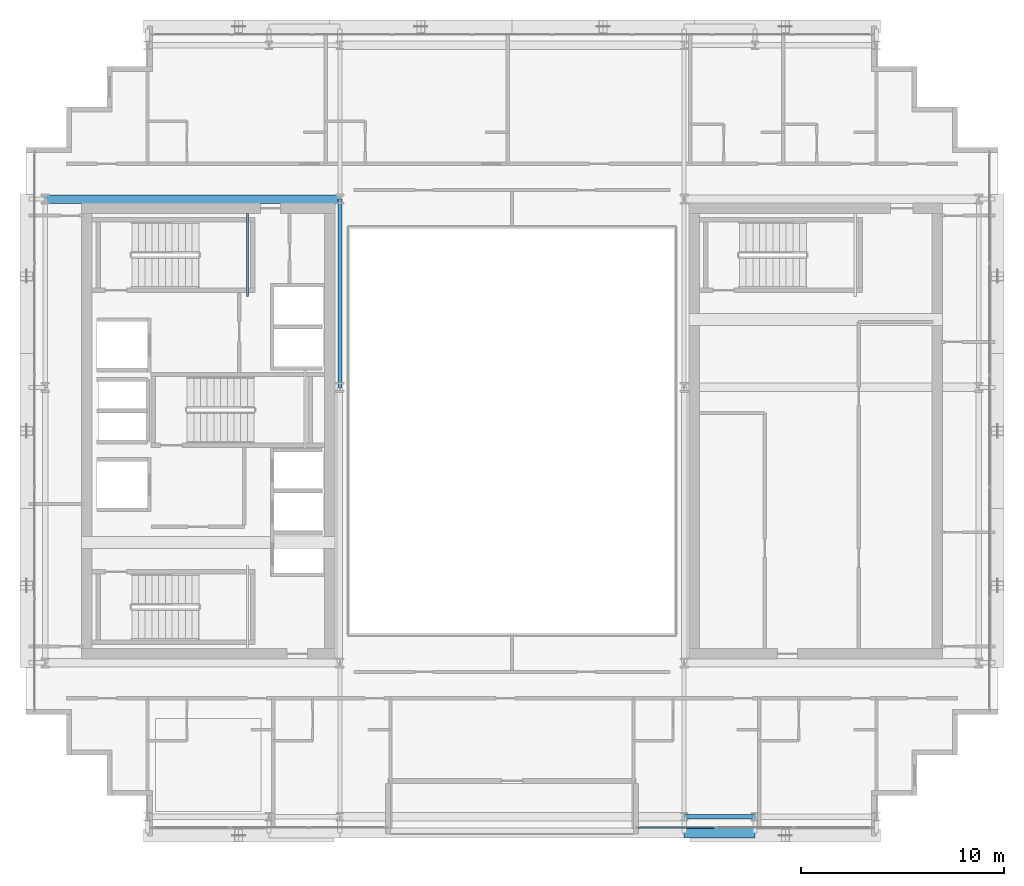
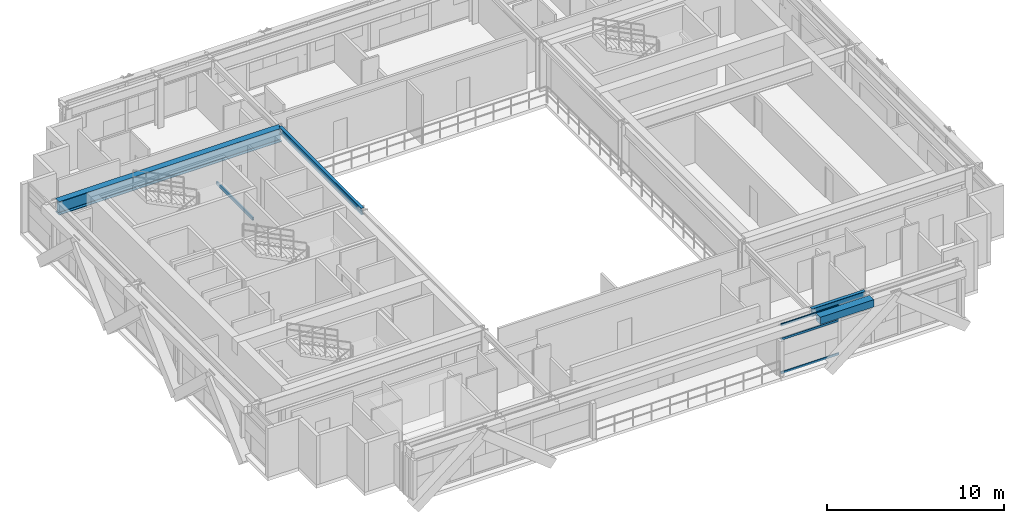
# One storey, part 9 of 31: 5 beams, 3 members, 1 element without a shape of its own.
"""IFC4 building model written with IfcOpenShell, lengths in metres."""

from ifc_helpers import new_model, si_unit, direction, frame, origin, origin_2d, place, context, subcontext, project, spatial, hollow_rectangle, i_section, extrude, source, transform, mapped, material, layer, layer_set, material_profile, profile_set, type_object, element, aggregate, save


model = new_model("IFC4")

# Units and contexts
model_context = context("Model", 3, precision=1e-05, world=origin(), true_north=direction((0.0, 1.0)))
body_context = subcontext(model_context, "Body", "Model", "MODEL_VIEW")
ifc_project = project(units=[si_unit("LENGTHUNIT", "METRE"), si_unit("AREAUNIT", "SQUARE_METRE"), si_unit("VOLUMEUNIT", "CUBIC_METRE"), si_unit("PLANEANGLEUNIT", "RADIAN"), si_unit("MASSUNIT", "GRAM", prefix="KILO")], contexts=[model_context])

# Site, building, storey
site_placement = place(None, origin())
site = spatial("IfcSite", under=ifc_project, at=site_placement, CompositionType="ELEMENT")
building_placement = place(site_placement, origin())
building = spatial("IfcBuilding", under=site, at=building_placement, Name="Ocotamira Hotel", CompositionType="ELEMENT")
storey_placement = place(building_placement, frame((0.0, 0.0, 181.199951171875)))
storey = spatial("IfcBuildingStorey", under=building, at=storey_placement, Name="L45", CompositionType="ELEMENT", Elevation=181.199951171875)

# Beams
ifc_material_1 = material(Name="Steel ASTM A500 Grade C", Category="steel")
ifc_material_profile_1 = material_profile(ifc_material_1, hollow_rectangle(XDim=0.10009765625, YDim=0.199951171875, WallThickness=0.008056640625, at=origin_2d()), Name="HSS200X100X8")
ifc_profile_set_1 = profile_set([ifc_material_profile_1], Name="Steel ASTM A500 Grade C")
beam_type_1 = type_object("IfcBeamType", Name="BM-STLDG-HSS200", PredefinedType="BEAM", material=ifc_profile_set_1)
shared_shape_1 = source(origin(), body_context, "Body", "SweptSolid", [
    extrude(hollow_rectangle(XDim=0.10009765625, YDim=0.199951171875, WallThickness=0.008056640625, at=origin_2d()), origin(), (0.0, 0.0, 1.0), 4.1201171875),
])
beam_1_placement = place(storey_placement, frame((18.949951171875, 32.6298828125, 1.5), z_axis=(0.0, 1.0, 0.0), x_axis=(-1.0, 0.0, 0.0)))
element("IfcBeam", 1, at=beam_1_placement, inside=storey, type_object=beam_type_1, Name="L45 Stair ST-2 Landing Bearer 1", PredefinedType="BEAM", context=body_context, shape_type="MappedRepresentation", body=[
    mapped(shared_shape_1, transform((0.0, 0.0, 0.0), scale=1.0)),
])
ifc_material_2 = material(Name="Steel ASTM A992 Grade 50", Category="steel")
ifc_material_profile_2 = material_profile(ifc_material_2, i_section(OverallWidth=0.41796875, OverallDepth=0.927001953125, WebThickness=0.019287109375, FlangeThickness=0.031982421875, FilletRadius=0.02392578125, at=origin_2d()), Name="W36X231")
ifc_profile_set_2 = profile_set([ifc_material_profile_2], Name="Steel ASTM A992 Grade 50")
beam_type_2 = type_object("IfcBeamType", Name="BM-GIRD-W36X231", PredefinedType="BEAM", material=ifc_profile_set_2)
shared_shape_2 = source(origin(), body_context, "Body", "SweptSolid", [
    extrude(i_section(OverallWidth=0.41796875, OverallDepth=0.927001953125, WebThickness=0.019287109375, FlangeThickness=0.031982421875, FilletRadius=0.02392578125, at=origin_2d()), origin(), (0.0, 0.0, 1.0), 14.550048828125),
])
beam_2_placement = place(storey_placement, frame((8.949951171875, 37.449951171875, 2.906494140625), z_axis=(1.0, 0.0, 0.0), x_axis=(0.0, 1.0, 0.0)))
element("IfcBeam", 2, at=beam_2_placement, inside=storey, type_object=beam_type_2, Name="L45 Girder Y37.45 X8.95-23.5", PredefinedType="BEAM", context=body_context, shape_type="MappedRepresentation", body=[
    mapped(shared_shape_2, transform((0.0, 0.0, 0.0), scale=1.0)),
])
ifc_material_profile_3 = material_profile(ifc_material_2, i_section(OverallWidth=0.2099609375, OverallDepth=0.537109375, WebThickness=0.010986328125, FlangeThickness=0.017333984375, FilletRadius=0.012939453125, at=origin_2d()), Name="W21X68")
ifc_profile_set_3 = profile_set([ifc_material_profile_3], Name="Steel ASTM A992 Grade 50")
beam_type_3 = type_object("IfcBeamType", Name="BM-SEC-W21X68", PredefinedType="JOIST", material=ifc_profile_set_3)
shared_shape_3 = source(origin(), body_context, "Body", "SweptSolid", [
    extrude(i_section(OverallWidth=0.2099609375, OverallDepth=0.537109375, WebThickness=0.010986328125, FlangeThickness=0.017333984375, FilletRadius=0.012939453125, at=origin_2d()), origin(), (0.0, 0.0, 1.0), 3.5),
])
beam_3_placement = place(storey_placement, frame((40.5, 6.949951171875, 3.1015625), z_axis=(1.0, 0.0, 0.0), x_axis=(0.0, 1.0, 0.0)))
element("IfcBeam", 3, at=beam_3_placement, inside=storey, type_object=beam_type_3, Name="L45 Girder Y6.95 X40.5-44", PredefinedType="JOIST", context=body_context, shape_type="MappedRepresentation", body=[
    mapped(shared_shape_3, transform((0.0, 0.0, 0.0), scale=1.0)),
])
ifc_material_profile_4 = material_profile(ifc_material_2, i_section(OverallWidth=0.18994140625, OverallDepth=0.45703125, WebThickness=0.009033203125, FlangeThickness=0.014404296875, FilletRadius=0.010009765625, at=origin_2d()), Name="W18X50")
ifc_profile_set_4 = profile_set([ifc_material_profile_4], Name="Steel ASTM A992 Grade 50")
beam_type_4 = type_object("IfcBeamType", Name="BM-SEC-W18X50", PredefinedType="JOIST", material=ifc_profile_set_4)
shared_shape_4 = source(origin(), body_context, "Body", "SweptSolid", [
    extrude(i_section(OverallWidth=0.18994140625, OverallDepth=0.45703125, WebThickness=0.009033203125, FlangeThickness=0.014404296875, FilletRadius=0.010009765625, at=origin_2d()), origin(), (0.0, 0.0, 1.0), 9.300048828125),
])
beam_4_placement = place(storey_placement, frame((23.5, 28.14990234375, 3.1416015625), z_axis=(0.0, 1.0, 0.0), x_axis=(-1.0, 0.0, 0.0)))
element("IfcBeam", 4, at=beam_4_placement, inside=storey, type_object=beam_type_4, Name="L45 Beam X23.5 Y28.15-37.45", PredefinedType="JOIST", context=body_context, shape_type="MappedRepresentation", body=[
    mapped(shared_shape_4, transform((0.0, 0.0, 0.0), scale=1.0)),
])
ifc_material_profile_5 = material_profile(ifc_material_1, hollow_rectangle(XDim=0.5, YDim=0.5, WallThickness=0.02001953125, at=origin_2d()), Name="HSS500X500X20")
ifc_profile_set_5 = profile_set([ifc_material_profile_5], Name="Steel ASTM A500 Grade C")
beam_type_5 = type_object("IfcBeamType", Name="BM-SPAN-HSS500", PredefinedType="USERDEFINED", material=ifc_profile_set_5)
shared_shape_5 = source(origin(), body_context, "Body", "SweptSolid", [
    extrude(hollow_rectangle(XDim=0.5, YDim=0.5, WallThickness=0.02001953125, at=origin_2d()), origin(), (0.0, 0.0, 1.0), 3.5),
])
beam_5_placement = place(storey_placement, frame((40.5, 6.14990234375, 3.1201171875), z_axis=(1.0, 0.0, 0.0), x_axis=(0.0, 1.0, 0.0)))
element("IfcBeam", 5, at=beam_5_placement, inside=storey, type_object=beam_type_5, Name="L45 Edge Spandrel S X40.5-44", ObjectType="SPANDREL", PredefinedType="USERDEFINED", context=body_context, shape_type="MappedRepresentation", body=[
    mapped(shared_shape_5, transform((0.0, 0.0, 0.0), scale=1.0)),
])

# Curtain wall, members
ifc_material_3 = material(Name="Anodised pale-metal aluminium and solar glass", Category="aluminium")
ifc_layer = layer(ifc_material_3, 0.199951171875)
ifc_layer_set = layer_set([ifc_layer], Name="Anodised pale-metal aluminium and solar glass")
curtain_wall_type = type_object("IfcCurtainWallType", Name="CW-SYS4-Z3", PredefinedType="NOTDEFINED", material=ifc_layer_set)
curtain_wall_placement = place(storey_placement, origin())
curtain_wall = element("IfcCurtainWall", 6, at=curtain_wall_placement, inside=storey, type_object=curtain_wall_type, Name="L45 Curtain Wall CW-4 CW-L45-S2", PredefinedType="NOTDEFINED")
ifc_material_4 = material(Name="Anodised pale-metal aluminium 6063-T6", Category="aluminium")
ifc_material_profile_6 = material_profile(ifc_material_4, hollow_rectangle(XDim=0.074951171875, YDim=0.14990234375, WallThickness=0.006103515625, at=origin_2d()), Name="HSS150X75X6")
ifc_profile_set_6 = profile_set([ifc_material_profile_6], Name="Anodised pale-metal aluminium 6063-T6")
member_type = type_object("IfcMemberType", Name="CWT-150X75", PredefinedType="USERDEFINED", material=ifc_profile_set_6)
shared_shape_6 = source(origin(), body_context, "Body", "SweptSolid", [
    extrude(hollow_rectangle(XDim=0.074951171875, YDim=0.14990234375, WallThickness=0.006103515625, at=origin_2d()), origin(), (0.0, 0.0, 1.0), 3.763427734375),
])
member_1_placement = place(storey_placement, frame((38.22998046875, 6.419921875, 0.03759765625), z_axis=(1.0, 0.0, 0.0), x_axis=(0.0, 1.0, 0.0)))
member_1 = element("IfcMember", 7, at=member_1_placement, type_object=member_type, Name="CW-4 transom 1.1", ObjectType="TRANSOM", PredefinedType="USERDEFINED", context=body_context, shape_type="MappedRepresentation", body=[
    mapped(shared_shape_6, transform((0.0, 0.0, 0.0), scale=1.0)),
])
member_2_placement = place(storey_placement, frame((38.22998046875, 6.419921875, 2.35009765625), z_axis=(1.0, 0.0, 0.0), x_axis=(0.0, 1.0, 0.0)))
member_2 = element("IfcMember", 8, at=member_2_placement, type_object=member_type, Name="CW-4 transom 1.2", ObjectType="TRANSOM", PredefinedType="USERDEFINED", context=body_context, shape_type="MappedRepresentation", body=[
    mapped(shared_shape_6, transform((0.0, 0.0, 0.0), scale=1.0)),
])
member_3_placement = place(storey_placement, frame((38.22998046875, 6.419921875, 3.33251953125), z_axis=(1.0, 0.0, 0.0), x_axis=(0.0, 1.0, 0.0)))
member_3 = element("IfcMember", 9, at=member_3_placement, type_object=member_type, Name="CW-4 transom 1.3", ObjectType="TRANSOM", PredefinedType="USERDEFINED", context=body_context, shape_type="MappedRepresentation", body=[
    mapped(shared_shape_6, transform((0.0, 0.0, 0.0), scale=1.0)),
])
aggregate(curtain_wall, [member_1, member_2, member_3])

save(model, "model.ifc")
